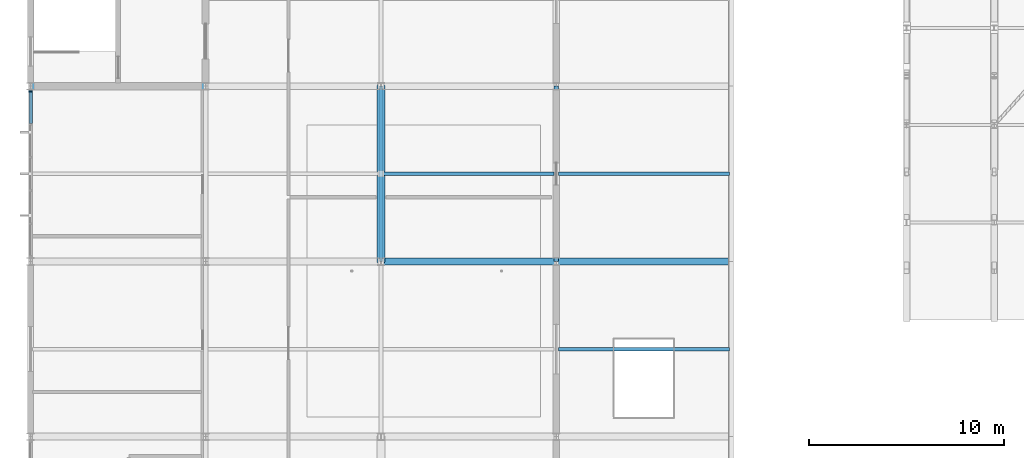
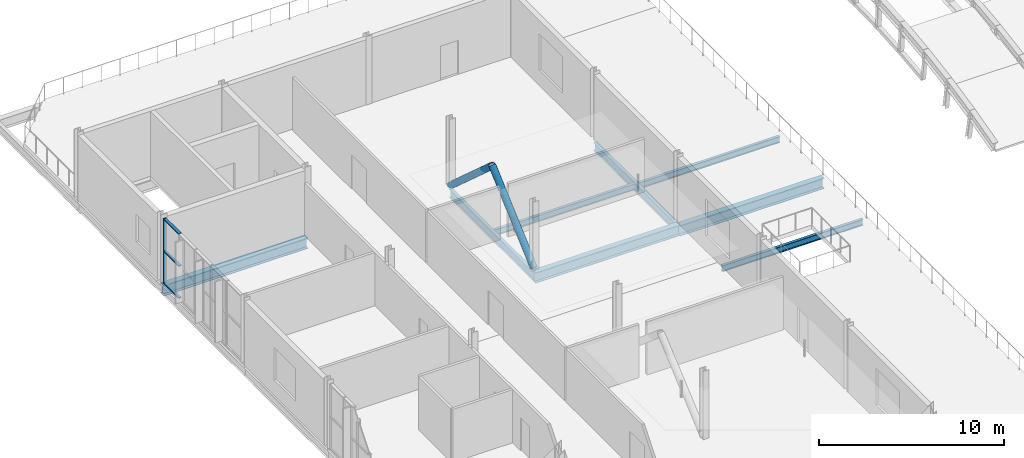
# One storey, part 6 of 53: 8 beams, 6 members, 1 element without a shape of its own.
"""IFC4 building model written with IfcOpenShell, lengths in metres."""

from ifc_helpers import new_model, si_unit, direction, frame, origin, origin_2d, place, context, subcontext, project, spatial, rectangle, hollow_circle, i_section, extrude, material, layer, layer_set, material_profile, profile_set, type_object, element, aggregate, save


model = new_model("IFC4")

# Units and contexts
model_context = context("Model", 3, precision=1e-05, world=origin(), true_north=direction((0.0, 1.0)))
body_context = subcontext(model_context, "Body", "Model", "MODEL_VIEW")
ifc_project = project(units=[si_unit("LENGTHUNIT", "METRE"), si_unit("AREAUNIT", "SQUARE_METRE"), si_unit("VOLUMEUNIT", "CUBIC_METRE"), si_unit("PLANEANGLEUNIT", "RADIAN"), si_unit("MASSUNIT", "GRAM", prefix="KILO")], contexts=[model_context])

# Site, building, storey
site_placement = place(None, origin())
site = spatial("IfcSite", under=ifc_project, at=site_placement, CompositionType="ELEMENT")
building_placement = place(site_placement, origin())
building = spatial("IfcBuilding", under=site, at=building_placement, Name="Cazmaro Siding Exhibition Halls", CompositionType="ELEMENT")
storey_placement = place(building_placement, frame((0.0, 0.0, 21.0)))
storey = spatial("IfcBuildingStorey", under=building, at=storey_placement, Name="L04", CompositionType="ELEMENT", Elevation=21.0)

# Beams
ifc_material_1 = material(Name="Steel ASTM A992 Grade 50", Category="steel")
ifc_material_profile_1 = material_profile(ifc_material_1, i_section(OverallWidth=0.214111328125, OverallDepth=0.549072265625, WebThickness=0.014892578125, FlangeThickness=0.02392578125, at=origin_2d()), Name="W21X93")
ifc_profile_set_1 = profile_set([ifc_material_profile_1], Name="Steel ASTM A992 Grade 50")
beam_type_1 = type_object("IfcBeamType", Name="B-01", PredefinedType="BEAM", material=ifc_profile_set_1)
for number, where, z_axis, x_axis, name in (
    (1, (18.0, 82.0, -0.493896484375), (0.0, 1.0, 0.0), (-1.0, 0.0, 0.0), "Beam B-01 BM-2343"),
    (2, (27.0, 82.0, -0.5439453125), (0.0, 1.0, 0.0), (-1.0, 0.0, 0.0), "Beam B-01 BM-2349"),
):
    element("IfcBeam", number, at=place(storey_placement, frame(where, z_axis=z_axis, x_axis=x_axis)), inside=storey, type_object=beam_type_1, Name=name, PredefinedType="BEAM", context=body_context, shape_type="SweptSolid", body=[
        extrude(i_section(OverallWidth=0.214111328125, OverallDepth=0.549072265625, WebThickness=0.014892578125, FlangeThickness=0.02392578125, at=origin_2d()), origin(), (0.0, 0.0, 1.0), 9.0),
    ])

# Curtain wall, members
ifc_material_2 = material(Name="Anodized Bronze Aluminum and Solar-Control Low-E Glazing", Category="aluminium")
ifc_layer = layer(ifc_material_2, 0.199951171875)
ifc_layer_set = layer_set([ifc_layer], Name="Anodized Bronze Aluminum and Solar-Control Low-E Glazing")
curtain_wall_type = type_object("IfcCurtainWallType", Name="CWS-02", PredefinedType="USERDEFINED", material=ifc_layer_set)
curtain_wall_placement = place(storey_placement, origin())
curtain_wall = element("IfcCurtainWall", 3, at=curtain_wall_placement, inside=storey, type_object=curtain_wall_type, Name="Glazed Curtain Wall CWS-02 CW-257", ObjectType="GLAZED CURTAIN WALL", PredefinedType="USERDEFINED")
ifc_material_3 = material(Name="Anodized Bronze Extruded Aluminum", Category="aluminium")
ifc_material_profile_2 = material_profile(ifc_material_3, rectangle(XDim=0.199951171875, YDim=0.06494140625, at=origin_2d()), Name="CWM-02")
ifc_profile_set_2 = profile_set([ifc_material_profile_2], Name="Anodized Bronze Extruded Aluminum")
member_type_1 = type_object("IfcMemberType", Name="CWM-02", PredefinedType="MULLION", material=ifc_profile_set_2)
member_1_placement = place(storey_placement, frame((0.0, 90.736572265625, 0.0), z_axis=(0.0, 0.0, 1.0), x_axis=(1.0, 0.0, 0.0)))
member_1 = element("IfcMember", 4, at=member_1_placement, type_object=member_type_1, Name="CWS-02 mullion 1", PredefinedType="MULLION", context=body_context, shape_type="SweptSolid", body=[
    extrude(rectangle(XDim=0.199951171875, YDim=0.06494140625, at=origin_2d()), origin(), (0.0, 0.0, 1.0), 4.2900390625),
])
ifc_material_4 = material(Name="Anodized Bronze Extruded Aluminum", Category="aluminium")
ifc_material_profile_3 = material_profile(ifc_material_4, rectangle(XDim=0.179931640625, YDim=0.06494140625, at=origin_2d()), Name="CWT-02")
ifc_profile_set_3 = profile_set([ifc_material_profile_3], Name="Anodized Bronze Extruded Aluminum")
member_type_2 = type_object("IfcMemberType", Name="CWT-02", PredefinedType="MULLION", material=ifc_profile_set_3)
member_2_placement = place(storey_placement, frame((0.0, 90.7041015625, 0.032470703125), z_axis=(0.0, -1.0, 0.0), x_axis=(1.0, 0.0, 0.0)))
member_2 = element("IfcMember", 5, at=member_2_placement, type_object=member_type_2, Name="CWS-02 transom 1.1", ObjectType="TRANSOM", PredefinedType="USERDEFINED", context=body_context, shape_type="SweptSolid", body=[
    extrude(rectangle(XDim=0.179931640625, YDim=0.06494140625, at=origin_2d()), origin(), (0.0, 0.0, 1.0), 1.610107421875),
])
member_3_placement = place(storey_placement, frame((0.0, 90.7041015625, 2.14501953125), z_axis=(0.0, -1.0, 0.0), x_axis=(1.0, 0.0, 0.0)))
member_3 = element("IfcMember", 6, at=member_3_placement, type_object=member_type_2, Name="CWS-02 transom 1.2", ObjectType="TRANSOM", PredefinedType="USERDEFINED", context=body_context, shape_type="SweptSolid", body=[
    extrude(rectangle(XDim=0.179931640625, YDim=0.06494140625, at=origin_2d()), origin(), (0.0, 0.0, 1.0), 1.610107421875),
])
member_4_placement = place(storey_placement, frame((0.0, 90.7041015625, 4.257568359375), z_axis=(0.0, -1.0, 0.0), x_axis=(1.0, 0.0, 0.0)))
member_4 = element("IfcMember", 7, at=member_4_placement, type_object=member_type_2, Name="CWS-02 transom 1.3", ObjectType="TRANSOM", PredefinedType="USERDEFINED", context=body_context, shape_type="SweptSolid", body=[
    extrude(rectangle(XDim=0.179931640625, YDim=0.06494140625, at=origin_2d()), origin(), (0.0, 0.0, 1.0), 1.610107421875),
])
aggregate(curtain_wall, [member_1, member_2, member_3, member_4])

# Beams
ifc_material_5 = material(Name="Steel ASTM A992 Grade 50", Category="steel")
ifc_material_profile_4 = material_profile(ifc_material_5, i_section(OverallWidth=0.35595703125, OverallDepth=0.696044921875, WebThickness=0.014892578125, FlangeThickness=0.02490234375, at=origin_2d()), Name="W27X146")
ifc_profile_set_4 = profile_set([ifc_material_profile_4], Name="Steel ASTM A992 Grade 50")
beam_type_2 = type_object("IfcBeamType", Name="G-05", PredefinedType="USERDEFINED", material=ifc_profile_set_4)
for number, where, z_axis, x_axis, name in (
    (8, (0.0, 91.0, -0.568115234375), (1.0, 0.0, 0.0), (0.0, 1.0, 0.0), "Beam G-05 BM-2282"),
    (9, (18.0, 82.0, -0.568115234375), (1.0, 0.0, 0.0), (0.0, 1.0, 0.0), "Beam G-05 BM-2305"),
    (10, (27.0, 82.0, -0.617919921875), (1.0, 0.0, 0.0), (0.0, 1.0, 0.0), "Beam G-05 BM-2318"),
):
    element("IfcBeam", number, at=place(storey_placement, frame(where, z_axis=z_axis, x_axis=x_axis)), inside=storey, type_object=beam_type_2, Name=name, ObjectType="GIRDER", PredefinedType="USERDEFINED", context=body_context, shape_type="SweptSolid", body=[
        extrude(i_section(OverallWidth=0.35595703125, OverallDepth=0.696044921875, WebThickness=0.014892578125, FlangeThickness=0.02490234375, at=origin_2d()), origin(), (0.0, 0.0, 1.0), 9.0),
    ])
ifc_material_6 = material(Name="Steel ASTM A992 Grade 50", Category="steel")
ifc_material_profile_5 = material_profile(ifc_material_6, i_section(OverallWidth=0.177978515625, OverallDepth=0.406005859375, WebThickness=0.008056640625, FlangeThickness=0.012939453125, at=origin_2d()), Name="W16X40")
ifc_profile_set_5 = profile_set([ifc_material_profile_5], Name="Steel ASTM A992 Grade 50")
beam_type_3 = type_object("IfcBeamType", Name="J-02", PredefinedType="JOIST", material=ifc_profile_set_5)
for number, where, z_axis, x_axis, name in (
    (11, (18.10693359375, 86.5, -0.423095703125), (1.0, 0.0, 0.0), (0.0, 1.0, 0.0), "Beam J-02 BM-2312"),
    (12, (27.10693359375, 77.5, -0.472900390625), (1.0, 0.0, 0.0), (0.0, 1.0, 0.0), "Beam J-02 BM-2324"),
    (13, (27.10693359375, 86.5, -0.472900390625), (1.0, 0.0, 0.0), (0.0, 1.0, 0.0), "Beam J-02 BM-2325"),
):
    element("IfcBeam", number, at=place(storey_placement, frame(where, z_axis=z_axis, x_axis=x_axis)), inside=storey, type_object=beam_type_3, Name=name, PredefinedType="JOIST", context=body_context, shape_type="SweptSolid", body=[
        extrude(i_section(OverallWidth=0.177978515625, OverallDepth=0.406005859375, WebThickness=0.008056640625, FlangeThickness=0.012939453125, at=origin_2d()), origin(), (0.0, 0.0, 1.0), 8.7861328125),
    ])

# Members
ifc_material_7 = material(Name="Steel ASTM A500 Grade C", Category="steel")
ifc_material_profile_6 = material_profile(ifc_material_7, hollow_circle(Radius=0.202880859375, WallThickness=0.012939453125, at=origin_2d()), Name="PIPE16XS")
ifc_profile_set_6 = profile_set([ifc_material_profile_6], Name="Steel ASTM A500 Grade C")
member_type_3 = type_object("IfcMemberType", Name="WB-04", PredefinedType="BRACE", material=ifc_profile_set_6)
for number, where, z_axis, x_axis, name in (
    (14, (18.0, 82.0, 0.0), (0.0, 0.745759599279, 0.666215145493), (-1.0, 0.0, 0.0), "BRBF lateral brace WB-04 MEM-3448"),
    (15, (18.0, 91.0, 0.0), (0.0, -0.745759599279, 0.666215145493), (1.0, 0.0, 0.0), "BRBF lateral brace WB-04 MEM-3449"),
):
    element("IfcMember", number, at=place(storey_placement, frame(where, z_axis=z_axis, x_axis=x_axis)), inside=storey, type_object=member_type_3, Name=name, PredefinedType="BRACE", context=body_context, shape_type="SweptSolid", body=[
        extrude(hollow_circle(Radius=0.202880859375, WallThickness=0.012939453125, at=origin_2d()), origin(), (0.0, 0.0, 1.0), 6.0341796875),
    ])

save(model, "model.ifc")
